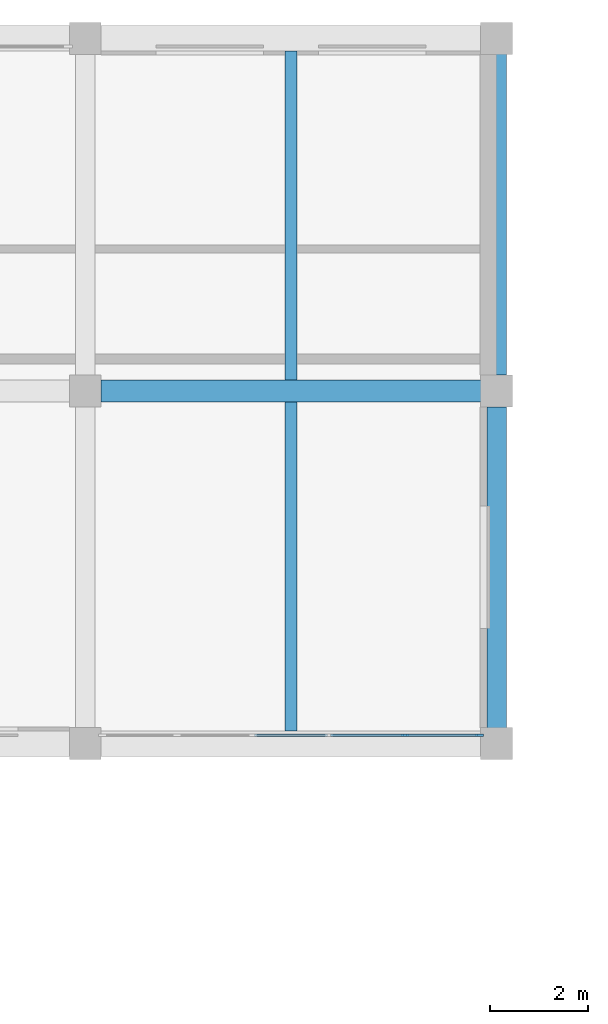
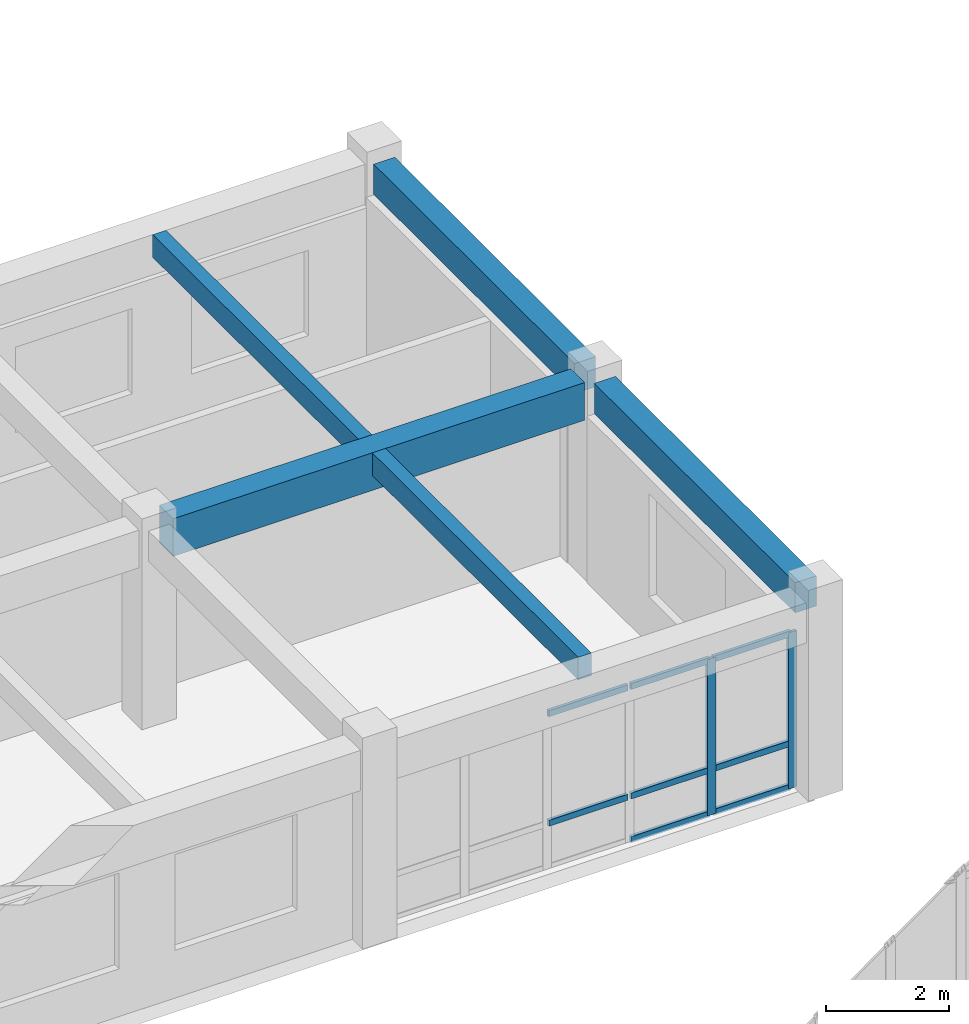
# One storey, part 93 of 147: 10 members, 5 beams, 1 element without a shape of its own.
"""IFC4 building model written with IfcOpenShell, lengths in metres."""

from ifc_helpers import new_model, si_unit, direction, frame, origin, origin_2d, place, context, subcontext, project, spatial, rectangle, extrude, material, material_profile, profile_set, type_object, element, aggregate, save


model = new_model("IFC4")

# Units and contexts
model_context = context("Model", 3, precision=1e-05, world=origin(), true_north=direction((0.0, 1.0)))
body_context = subcontext(model_context, "Body", "Model", "MODEL_VIEW")
ifc_project = project(units=[si_unit("LENGTHUNIT", "METRE"), si_unit("AREAUNIT", "SQUARE_METRE"), si_unit("VOLUMEUNIT", "CUBIC_METRE"), si_unit("PLANEANGLEUNIT", "RADIAN"), si_unit("MASSUNIT", "GRAM", prefix="KILO")], contexts=[model_context])

# Site, building, storey
site_placement = place(None, origin())
site = spatial("IfcSite", under=ifc_project, at=site_placement, CompositionType="ELEMENT")
building_placement = place(site_placement, origin())
building = spatial("IfcBuilding", under=site, at=building_placement, Name="Malvenik Polytechnic", CompositionType="ELEMENT")
storey_placement = place(building_placement, frame((0.0, 0.0, 5.10009765625)))
storey = spatial("IfcBuildingStorey", under=building, at=storey_placement, Name="L01", CompositionType="ELEMENT", Elevation=5.10009765625)

# Curtain wall, members
ifc_material_1 = material(Name="Anodised aluminium 6060-T6", Category="aluminium")
curtain_wall_type = type_object("IfcCurtainWallType", Name="ARC-CW-CW-02", PredefinedType="NOTDEFINED", material=ifc_material_1)
curtain_wall_placement = place(storey_placement, origin())
curtain_wall = element("IfcCurtainWall", 1, at=curtain_wall_placement, inside=storey, type_object=curtain_wall_type, Name="Unitised Curtain Wall CW-02 L01 #53", PredefinedType="NOTDEFINED")
ifc_material_2 = material(Name="Anodised aluminium", Category="aluminium")
ifc_material_profile_1 = material_profile(ifc_material_2, rectangle(XDim=0.06005859375, YDim=0.159912109375, at=origin_2d()), Name="ALU MULLION 60x160")
ifc_profile_set_1 = profile_set([ifc_material_profile_1], Name="Anodised aluminium")
member_type_1 = type_object("IfcMemberType", Name="ARC-CWM-160", PredefinedType="MULLION", material=ifc_profile_set_1)
member_1_placement = place(storey_placement, frame((134.047119140625, 115.3701171875, 0.0), z_axis=(0.0, 0.0, 1.0), x_axis=(0.0, -1.0, 0.0)))
member_1 = element("IfcMember", 2, at=member_1_placement, type_object=member_type_1, Name="CW-02 mullion 1", PredefinedType="MULLION", context=body_context, shape_type="SweptSolid", body=[
    extrude(rectangle(XDim=0.06005859375, YDim=0.159912109375, at=origin_2d()), origin(), (0.0, 0.0, 1.0), 3.10986328125),
])
member_2_placement = place(storey_placement, frame((132.526123046875, 115.3701171875, 0.0), z_axis=(0.0, 0.0, 1.0), x_axis=(0.0, -1.0, 0.0)))
member_2 = element("IfcMember", 3, at=member_2_placement, type_object=member_type_1, Name="CW-02 mullion 2", PredefinedType="MULLION", context=body_context, shape_type="SweptSolid", body=[
    extrude(rectangle(XDim=0.06005859375, YDim=0.159912109375, at=origin_2d()), origin(), (0.0, 0.0, 1.0), 3.10986328125),
])
ifc_material_profile_2 = material_profile(ifc_material_2, rectangle(XDim=0.06005859375, YDim=0.1201171875, at=origin_2d()), Name="ALU TRANSOM 60x120")
ifc_profile_set_2 = profile_set([ifc_material_profile_2], Name="Anodised aluminium")
member_type_2 = type_object("IfcMemberType", Name="ARC-CWT-120", PredefinedType="USERDEFINED", material=ifc_profile_set_2)
member_3_placement = place(storey_placement, frame((134.01708984375, 115.3701171875, 0.02978515625), z_axis=(-1.0, 0.0, 0.0), x_axis=(0.0, -1.0, 0.0)))
member_3 = element("IfcMember", 4, at=member_3_placement, type_object=member_type_2, Name="CW-02 transom 1.1", ObjectType="TRANSOM", PredefinedType="USERDEFINED", context=body_context, shape_type="SweptSolid", body=[
    extrude(rectangle(XDim=0.06005859375, YDim=0.1201171875, at=origin_2d()), origin(), (0.0, 0.0, 1.0), 1.4609375),
])
member_4_placement = place(storey_placement, frame((134.01708984375, 115.3701171875, 0.89990234375), z_axis=(-1.0, 0.0, 0.0), x_axis=(0.0, -1.0, 0.0)))
member_4 = element("IfcMember", 5, at=member_4_placement, type_object=member_type_2, Name="CW-02 transom 1.2", ObjectType="TRANSOM", PredefinedType="USERDEFINED", context=body_context, shape_type="SweptSolid", body=[
    extrude(rectangle(XDim=0.06005859375, YDim=0.1201171875, at=origin_2d()), origin(), (0.0, 0.0, 1.0), 1.4609375),
])
member_5_placement = place(storey_placement, frame((134.01708984375, 115.3701171875, 3.079833984375), z_axis=(-1.0, 0.0, 0.0), x_axis=(0.0, -1.0, 0.0)))
member_5 = element("IfcMember", 6, at=member_5_placement, type_object=member_type_2, Name="CW-02 transom 1.3", ObjectType="TRANSOM", PredefinedType="USERDEFINED", context=body_context, shape_type="SweptSolid", body=[
    extrude(rectangle(XDim=0.06005859375, YDim=0.1201171875, at=origin_2d()), origin(), (0.0, 0.0, 1.0), 1.4609375),
])
member_6_placement = place(storey_placement, frame((132.49609375, 115.3701171875, 0.02978515625), z_axis=(-1.0, 0.0, 0.0), x_axis=(0.0, -1.0, 0.0)))
member_6 = element("IfcMember", 7, at=member_6_placement, type_object=member_type_2, Name="CW-02 transom 2.1", ObjectType="TRANSOM", PredefinedType="USERDEFINED", context=body_context, shape_type="SweptSolid", body=[
    extrude(rectangle(XDim=0.06005859375, YDim=0.1201171875, at=origin_2d()), origin(), (0.0, 0.0, 1.0), 1.49072265625),
])
member_7_placement = place(storey_placement, frame((132.49609375, 115.3701171875, 0.89990234375), z_axis=(-1.0, 0.0, 0.0), x_axis=(0.0, -1.0, 0.0)))
member_7 = element("IfcMember", 8, at=member_7_placement, type_object=member_type_2, Name="CW-02 transom 2.2", ObjectType="TRANSOM", PredefinedType="USERDEFINED", context=body_context, shape_type="SweptSolid", body=[
    extrude(rectangle(XDim=0.06005859375, YDim=0.1201171875, at=origin_2d()), origin(), (0.0, 0.0, 1.0), 1.49072265625),
])
member_8_placement = place(storey_placement, frame((132.49609375, 115.3701171875, 3.079833984375), z_axis=(-1.0, 0.0, 0.0), x_axis=(0.0, -1.0, 0.0)))
member_8 = element("IfcMember", 9, at=member_8_placement, type_object=member_type_2, Name="CW-02 transom 2.3", ObjectType="TRANSOM", PredefinedType="USERDEFINED", context=body_context, shape_type="SweptSolid", body=[
    extrude(rectangle(XDim=0.06005859375, YDim=0.1201171875, at=origin_2d()), origin(), (0.0, 0.0, 1.0), 1.49072265625),
])
member_9_placement = place(storey_placement, frame((130.9453125, 115.3701171875, 0.89990234375), z_axis=(-1.0, 0.0, 0.0), x_axis=(0.0, -1.0, 0.0)))
member_9 = element("IfcMember", 10, at=member_9_placement, type_object=member_type_2, Name="CW-02 transom 3.2", ObjectType="TRANSOM", PredefinedType="USERDEFINED", context=body_context, shape_type="SweptSolid", body=[
    extrude(rectangle(XDim=0.06005859375, YDim=0.1201171875, at=origin_2d()), origin(), (0.0, 0.0, 1.0), 1.49072265625),
])
member_10_placement = place(storey_placement, frame((130.9453125, 115.3701171875, 3.079833984375), z_axis=(-1.0, 0.0, 0.0), x_axis=(0.0, -1.0, 0.0)))
member_10 = element("IfcMember", 11, at=member_10_placement, type_object=member_type_2, Name="CW-02 transom 3.3", ObjectType="TRANSOM", PredefinedType="USERDEFINED", context=body_context, shape_type="SweptSolid", body=[
    extrude(rectangle(XDim=0.06005859375, YDim=0.1201171875, at=origin_2d()), origin(), (0.0, 0.0, 1.0), 1.49072265625),
])
aggregate(curtain_wall, [member_1, member_2, member_3, member_4, member_5, member_6, member_7, member_8, member_9, member_10])

# Beams
ifc_material_3 = material(Name="Concrete C35/45", Category="concrete")
ifc_material_profile_3 = material_profile(ifc_material_3, rectangle(XDim=0.449951171875, YDim=0.75, at=origin_2d()), Name="RC BM 450x750")
ifc_profile_set_3 = profile_set([ifc_material_profile_3], Name="Concrete C35/45")
beam_type_1 = type_object("IfcBeamType", Name="STR-BM-B-03", PredefinedType="BEAM", material=ifc_profile_set_3)
beam_1_placement = place(storey_placement, frame((126.322998046875, 122.39990234375, 3.544921875), z_axis=(1.0, 0.0, 0.0), x_axis=(0.0, 1.0, 0.0)))
element("IfcBeam", 12, at=beam_1_placement, inside=storey, type_object=beam_type_1, Name="Primary Beam B-03 L01 #1110", PredefinedType="BEAM", context=body_context, shape_type="SweptSolid", body=[
    extrude(rectangle(XDim=0.449951171875, YDim=0.75, at=origin_2d()), origin(), (0.0, 0.0, 1.0), 7.75390625),
])
ifc_material_profile_4 = material_profile(ifc_material_3, rectangle(XDim=0.39990234375, YDim=0.60009765625, at=origin_2d()), Name="RC BM 400x600")
ifc_profile_set_4 = profile_set([ifc_material_profile_4], Name="Concrete C35/45")
beam_type_2 = type_object("IfcBeamType", Name="STR-BM-B-06", PredefinedType="BEAM", material=ifc_profile_set_4)
beam_2_placement = place(storey_placement, frame((134.39990234375, 115.52294921875, 3.619873046875), z_axis=(0.0, 1.0, 0.0), x_axis=(-1.0, 0.0, 0.0)))
element("IfcBeam", 13, at=beam_2_placement, inside=storey, type_object=beam_type_2, Name="Transverse Beam B-06 L01 #1248", PredefinedType="BEAM", context=body_context, shape_type="SweptSolid", body=[
    extrude(rectangle(XDim=0.39990234375, YDim=0.60009765625, at=origin_2d()), origin(), (0.0, 0.0, 1.0), 6.553955078125),
])
beam_3_placement = place(storey_placement, frame((134.39990234375, 122.722900390625, 3.619873046875), z_axis=(0.0, 1.0, 0.0), x_axis=(-1.0, 0.0, 0.0)))
element("IfcBeam", 14, at=beam_3_placement, inside=storey, type_object=beam_type_2, Name="Transverse Beam B-06 L01 #1249", PredefinedType="BEAM", context=body_context, shape_type="SweptSolid", body=[
    extrude(rectangle(XDim=0.39990234375, YDim=0.60009765625, at=origin_2d()), origin(), (0.0, 0.0, 1.0), 6.55419921875),
])
ifc_material_4 = material(Name="Concrete C30/37", Category="concrete")
ifc_material_profile_5 = material_profile(ifc_material_4, rectangle(XDim=0.25, YDim=0.449951171875, at=origin_2d()), Name="RC JST 250x450")
ifc_profile_set_5 = profile_set([ifc_material_profile_5], Name="Concrete C30/37")
beam_type_3 = type_object("IfcBeamType", Name="STR-BM-J-02", PredefinedType="JOIST", material=ifc_profile_set_5)
for number, where, z_axis, x_axis, name in (
    (15, (130.199951171875, 115.4580078125, 3.69482421875), (0.0, 1.0, 0.0), (-1.0, 0.0, 0.0), "Secondary Rib Joist J-02 L01 #1329"),
    (16, (130.199951171875, 122.623046875, 3.69482421875), (0.0, 1.0, 0.0), (-1.0, 0.0, 0.0), "Secondary Rib Joist J-02 L01 #1330"),
):
    element("IfcBeam", number, at=place(storey_placement, frame(where, z_axis=z_axis, x_axis=x_axis)), inside=storey, type_object=beam_type_3, Name=name, PredefinedType="JOIST", context=body_context, shape_type="SweptSolid", body=[
        extrude(rectangle(XDim=0.25, YDim=0.449951171875, at=origin_2d()), origin(), (0.0, 0.0, 1.0), 6.718994140625),
    ])

save(model, "model.ifc")
